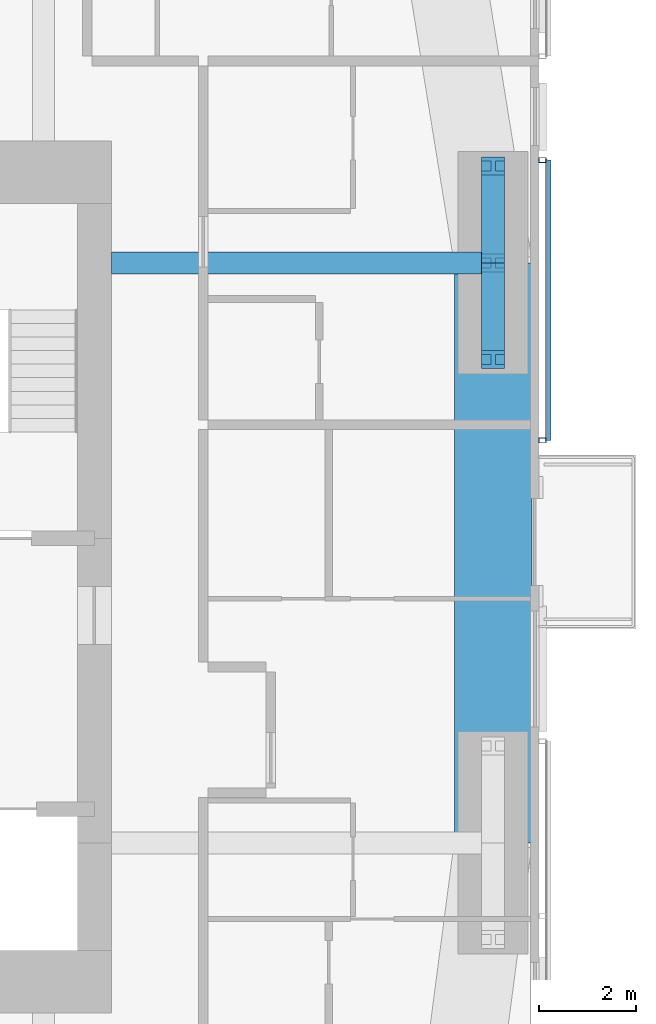
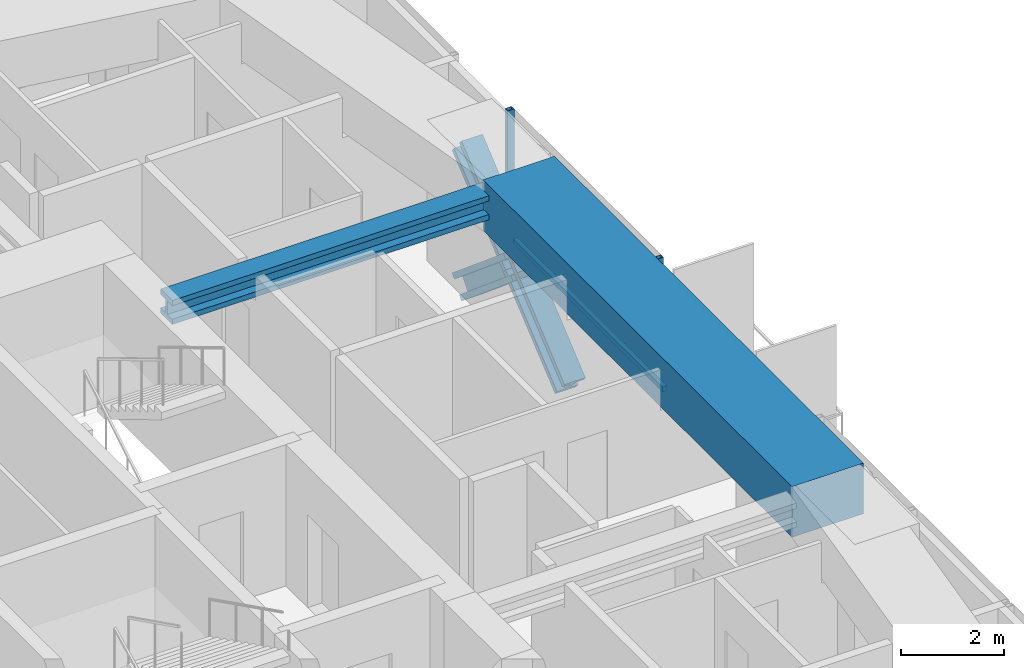
# One storey, part 8 of 23: 7 members, 2 beams, 1 element without a shape of its own.
"""IFC4 building model written with IfcOpenShell, lengths in metres."""

from ifc_helpers import new_model, si_unit, direction, frame, origin, origin_2d, place, context, subcontext, project, spatial, rectangle, hollow_rectangle, i_section, extrude, material, material_profile, profile_set, type_object, element, aggregate, save


model = new_model("IFC4")

# Units and contexts
model_context = context("Model", 3, precision=1e-05, world=origin(), true_north=direction((0.0, 1.0)))
body_context = subcontext(model_context, "Body", "Model", "MODEL_VIEW")
ifc_project = project(units=[si_unit("LENGTHUNIT", "METRE"), si_unit("AREAUNIT", "SQUARE_METRE"), si_unit("VOLUMEUNIT", "CUBIC_METRE"), si_unit("PLANEANGLEUNIT", "RADIAN"), si_unit("MASSUNIT", "GRAM", prefix="KILO")], contexts=[model_context])

# Site, building, storey
site_placement = place(None, origin())
site = spatial("IfcSite", under=ifc_project, at=site_placement, CompositionType="ELEMENT")
building_placement = place(site_placement, origin())
building = spatial("IfcBuilding", under=site, at=building_placement, Name="Jalousie Tower", CompositionType="ELEMENT")
storey_placement = place(building_placement, frame((0.0, 0.0, 167.75)))
storey = spatial("IfcBuildingStorey", under=building, at=storey_placement, Name="L45", CompositionType="ELEMENT", Elevation=167.75)

# Beam
ifc_material_1 = material(Name="Steel ASTM A992 Grade 50", Category="steel")
ifc_material_profile_1 = material_profile(ifc_material_1, i_section(OverallWidth=0.45458984375, OverallDepth=0.569091796875, WebThickness=0.077880859375, FlangeThickness=0.124755859375, at=origin_2d()), Name="W14X730")
ifc_profile_set_1 = profile_set([ifc_material_profile_1], Name="Steel ASTM A992 Grade 50")
beam_type_1 = type_object("IfcBeamType", Name="LEAN COLLECTOR W14X730", PredefinedType="BEAM", material=ifc_profile_set_1)
beam_1_placement = place(storey_placement, frame((52.050048828125, 25.0, 2.825439453125), z_axis=(-1.0, 0.0, 0.0), x_axis=(0.0, -1.0, 0.0)))
element("IfcBeam", 1, at=beam_1_placement, inside=storey, type_object=beam_type_1, Name="Lean collector under L46", PredefinedType="BEAM", context=body_context, shape_type="SweptSolid", body=[
    extrude(i_section(OverallWidth=0.45458984375, OverallDepth=0.569091796875, WebThickness=0.077880859375, FlangeThickness=0.124755859375, at=origin_2d()), origin(), (0.0, 0.0, 1.0), 7.900146484375),
])

# Members
ifc_material_2 = material(Name="Steel ASTM A992 Grade 50", Category="steel")
ifc_material_profile_2 = material_profile(ifc_material_2, i_section(OverallWidth=0.472412109375, OverallDepth=0.5791015625, WebThickness=0.094970703125, FlangeThickness=0.1298828125, at=origin_2d()), Name="W14X808")
ifc_profile_set_2 = profile_set([ifc_material_profile_2], Name="Steel ASTM A992 Grade 50")
member_type_1 = type_object("IfcMemberType", Name="PERIMETER BRACE W14X808", PredefinedType="BRACE", material=ifc_profile_set_2)
for number, where, z_axis, x_axis, name in (
    (2, (52.050048828125, 23.0, -0.60009765625), (0.0, 0.766638753323, 0.642078672674), (-1.0, 0.0, 0.0), "Perimeter brace 07 L45 part 1"),
    (3, (52.050048828125, 25.0, 1.074951171875), (0.0, 0.766638753323, 0.642078672674), (-1.0, 0.0, 0.0), "Perimeter brace 07 L45 part 2"),
    (4, (52.050048828125, 27.0, -0.60009765625), (0.0, -0.766638753323, 0.642078672674), (1.0, 0.0, 0.0), "Perimeter brace 07 L45 part 3"),
    (5, (52.050048828125, 25.0, 1.074951171875), (0.0, -0.766638753323, 0.642078672674), (1.0, 0.0, 0.0), "Perimeter brace 07 L45 part 4"),
):
    element("IfcMember", number, at=place(storey_placement, frame(where, z_axis=z_axis, x_axis=x_axis)), inside=storey, type_object=member_type_1, Name=name, PredefinedType="BRACE", context=body_context, shape_type="SweptSolid", body=[
        extrude(i_section(OverallWidth=0.472412109375, OverallDepth=0.5791015625, WebThickness=0.094970703125, FlangeThickness=0.1298828125, at=origin_2d()), origin(), (0.0, 0.0, 1.0), 2.60888671875),
    ])

# Beam
ifc_material_3 = material(Name="Concrete f'c 40 MPa", Category="concrete")
ifc_material_profile_3 = material_profile(ifc_material_3, rectangle(XDim=1.60009765625, YDim=1.199951171875, at=origin_2d()), Name="RC 1600x1200")
ifc_profile_set_3 = profile_set([ifc_material_profile_3], Name="Concrete f'c 40 MPa")
beam_type_2 = type_object("IfcBeamType", Name="RC BEAM 1600x1200", PredefinedType="BEAM", material=ifc_profile_set_3)
beam_2_placement = place(storey_placement, frame((52.050048828125, 13.0, 2.75), z_axis=(0.0, 1.0, 0.0), x_axis=(-1.0, 0.0, 0.0)))
element("IfcBeam", 6, at=beam_2_placement, inside=storey, type_object=beam_type_2, Name="Edge band beam 06-07 under L46", PredefinedType="BEAM", context=body_context, shape_type="SweptSolid", body=[
    extrude(rectangle(XDim=1.60009765625, YDim=1.199951171875, at=origin_2d()), origin(), (0.0, 0.0, 1.0), 12.0),
])

# Curtain wall, members
ifc_material_4 = material(Name="Perforated aluminium sheet", Category="aluminium")
curtain_wall_type = type_object("IfcCurtainWallType", Name="SOLAR SCREEN SS-1", PredefinedType="USERDEFINED", material=ifc_material_4)
curtain_wall_placement = place(storey_placement, origin())
curtain_wall = element("IfcCurtainWall", 7, at=curtain_wall_placement, inside=storey, type_object=curtain_wall_type, Name="Solar screen L45", ObjectType="SOLAR SCREEN SS-1", PredefinedType="USERDEFINED")
ifc_material_5 = material(Name="Steel ASTM A500 Grade C", Category="steel")
ifc_material_profile_4 = material_profile(ifc_material_5, hollow_rectangle(XDim=0.1015625, YDim=0.15234375, WallThickness=0.00634765625, at=origin_2d()), Name="HSS6X4X1/4")
ifc_profile_set_4 = profile_set([ifc_material_profile_4], Name="Steel ASTM A500 Grade C")
member_type_2 = type_object("IfcMemberType", Name="SOLAR SCREEN SS-1 MULLION", PredefinedType="MULLION", material=ifc_profile_set_4)
member_1_placement = place(storey_placement, frame((53.0712890625, 21.324951171875, -0.1201171875), z_axis=(0.0, 0.0, 1.0), x_axis=(0.0, 1.0, 0.0)))
member_1 = element("IfcMember", 8, at=member_1_placement, type_object=member_type_2, Name="SS1 post 1", PredefinedType="MULLION", context=body_context, shape_type="SweptSolid", body=[
    extrude(hollow_rectangle(XDim=0.1015625, YDim=0.15234375, WallThickness=0.00634765625, at=origin_2d()), origin(), (0.0, 0.0, 1.0), 3.230224609375),
])
member_2_placement = place(storey_placement, frame((53.0712890625, 27.12451171875, -0.1201171875), z_axis=(0.0, 0.0, 1.0), x_axis=(0.0, 1.0, 0.0)))
member_2 = element("IfcMember", 9, at=member_2_placement, type_object=member_type_2, Name="SS1 post 2", PredefinedType="MULLION", context=body_context, shape_type="SweptSolid", body=[
    extrude(hollow_rectangle(XDim=0.1015625, YDim=0.15234375, WallThickness=0.00634765625, at=origin_2d()), origin(), (0.0, 0.0, 1.0), 3.230224609375),
])
ifc_material_6 = material(Name="Extruded aluminium screen rail", Category="aluminium")
ifc_material_profile_5 = material_profile(ifc_material_6, rectangle(XDim=0.1015625, YDim=0.1201171875, at=origin_2d()), Name="RAIL 102x120")
ifc_profile_set_5 = profile_set([ifc_material_profile_5], Name="Extruded aluminium screen rail")
member_type_3 = type_object("IfcMemberType", Name="SOLAR SCREEN SS-1 TRANSOM", PredefinedType="USERDEFINED", material=ifc_profile_set_5)
member_3_placement = place(storey_placement, frame((53.1982421875, 21.324951171875, -0.06005859375), z_axis=(0.0, 1.0, 0.0), x_axis=(-1.0, 0.0, 0.0)))
member_3 = element("IfcMember", 10, at=member_3_placement, type_object=member_type_3, Name="SS1 rail", ObjectType="TRANSOM", PredefinedType="USERDEFINED", context=body_context, shape_type="SweptSolid", body=[
    extrude(rectangle(XDim=0.1015625, YDim=0.1201171875, at=origin_2d()), origin(), (0.0, 0.0, 1.0), 5.799560546875),
])
aggregate(curtain_wall, [member_1, member_2, member_3])

save(model, "model.ifc")
